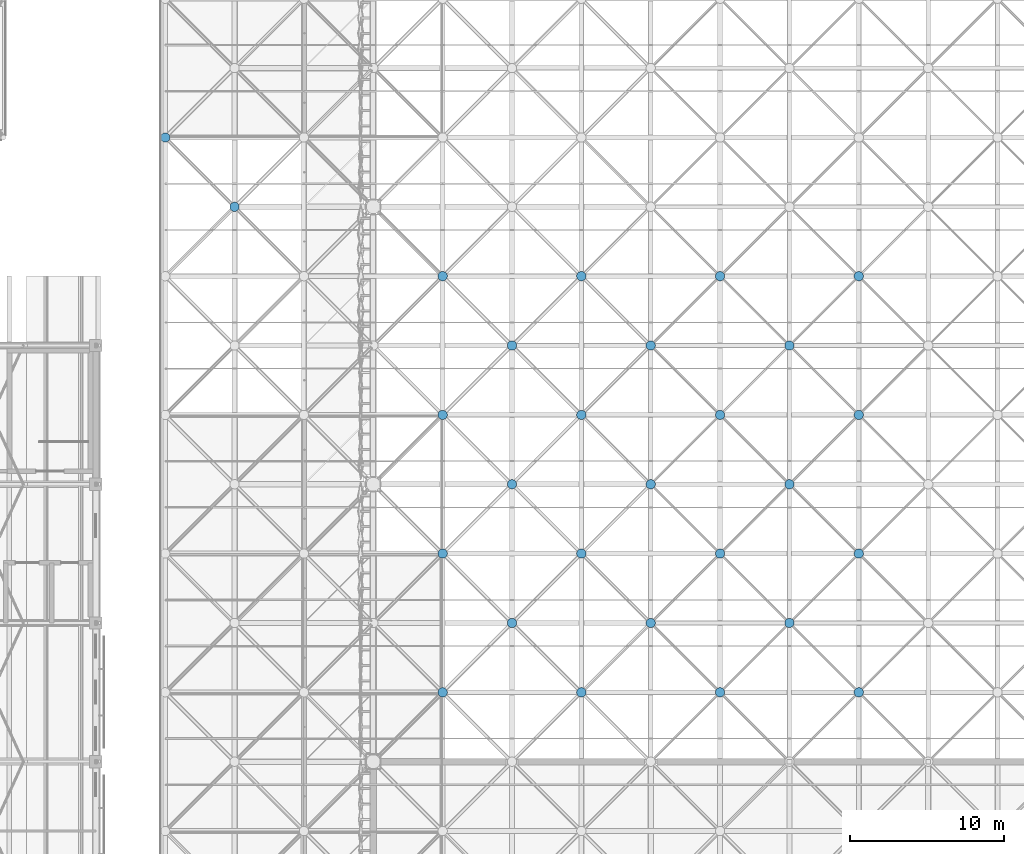
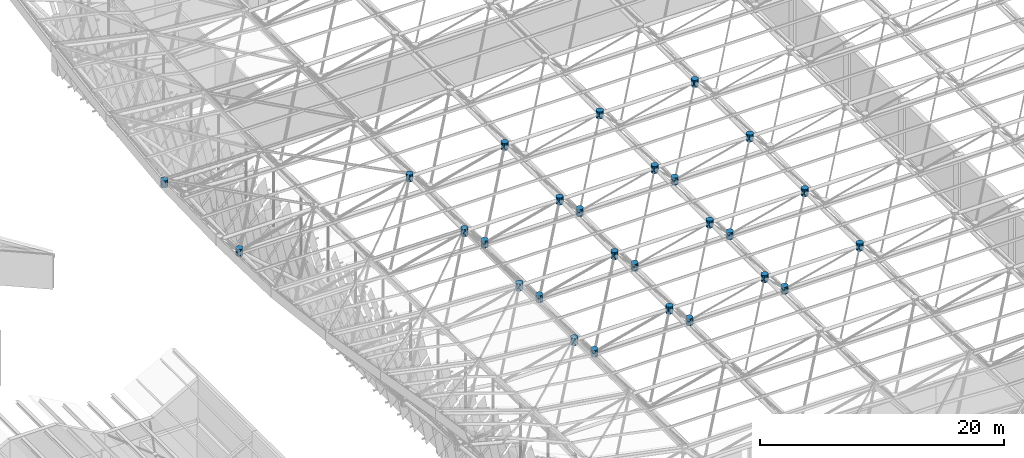
# One storey, part 293 of 437: 27 discrete accessories.
"""IFC4 building model written with IfcOpenShell, lengths in metres."""

from ifc_helpers import new_model, si_unit, direction, frame, origin, place, context, subcontext, project, spatial, polyline, outline, extrude, material, type_object, element, save


model = new_model("IFC4")

# Units and contexts
model_context = context("Model", 3, precision=1e-05, world=origin(), true_north=direction((0.0, 1.0)))
body_context = subcontext(model_context, "Body", "Model", "MODEL_VIEW")
ifc_project = project(units=[si_unit("LENGTHUNIT", "METRE"), si_unit("AREAUNIT", "SQUARE_METRE"), si_unit("VOLUMEUNIT", "CUBIC_METRE"), si_unit("PLANEANGLEUNIT", "RADIAN"), si_unit("MASSUNIT", "GRAM", prefix="KILO")], contexts=[model_context])

# Site, building, storey
site_placement = place(None, origin())
site = spatial("IfcSite", under=ifc_project, at=site_placement, CompositionType="ELEMENT")
building_placement = place(site_placement, origin())
building = spatial("IfcBuilding", under=site, at=building_placement, Name="Opaline Strait Convention Centre", CompositionType="ELEMENT")
storey_placement = place(building_placement, frame((0.0, 0.0, 11.5)))
storey = spatial("IfcBuildingStorey", under=building, at=storey_placement, Name="L02", CompositionType="ELEMENT", Elevation=11.5)

# Discrete accessories
ifc_material = material(Name="Cast steel ZG300-500H (300 MPa)", Category="steel")
discrete_accessory_type = type_object("IfcDiscreteAccessoryType", Name="Space frame node hub D600", PredefinedType="USERDEFINED", material=ifc_material)
discrete_accessory_1_placement = place(storey_placement, frame((0.0, 0.0, 17.8642578125)))
element("IfcDiscreteAccessory", 1, at=discrete_accessory_1_placement, inside=storey, type_object=discrete_accessory_type, Name="Top node 1/9", ObjectType="NODE HUB", PredefinedType="USERDEFINED", context=body_context, shape_type="SweptSolid", body=[
    extrude(outline(polyline([(85.800048828125, 112.559814453125), (85.75439453125, 112.669921875), (85.669921875, 112.75439453125), (85.559814453125, 112.800048828125), (85.440185546875, 112.800048828125), (85.330078125, 112.75439453125), (85.24560546875, 112.669921875), (85.199951171875, 112.559814453125), (85.199951171875, 112.440185546875), (85.24560546875, 112.330078125), (85.330078125, 112.24560546875), (85.440185546875, 112.199951171875), (85.559814453125, 112.199951171875), (85.669921875, 112.24560546875), (85.75439453125, 112.330078125), (85.800048828125, 112.440185546875), (85.800048828125, 112.559814453125)])), origin(), (0.0, 0.0, 1.0), 0.719970703125),
])
discrete_accessory_2_placement = place(storey_placement, frame((0.0, 0.0, 17.611572265625)))
element("IfcDiscreteAccessory", 2, at=discrete_accessory_2_placement, inside=storey, type_object=discrete_accessory_type, Name="Top node 3/5", ObjectType="NODE HUB", PredefinedType="USERDEFINED", context=body_context, shape_type="SweptSolid", body=[
    extrude(outline(polyline([(103.800048828125, 76.559814453125), (103.75439453125, 76.669921875), (103.669921875, 76.75439453125), (103.559814453125, 76.800048828125), (103.440185546875, 76.800048828125), (103.330078125, 76.75439453125), (103.24560546875, 76.669921875), (103.199951171875, 76.559814453125), (103.199951171875, 76.440185546875), (103.24560546875, 76.330078125), (103.330078125, 76.24560546875), (103.440185546875, 76.199951171875), (103.559814453125, 76.199951171875), (103.669921875, 76.24560546875), (103.75439453125, 76.330078125), (103.800048828125, 76.440185546875), (103.800048828125, 76.559814453125)])), origin(), (0.0, 0.0, 1.0), 0.719970703125),
])
discrete_accessory_3_placement = place(storey_placement, frame((0.0, 0.0, 17.611572265625)))
element("IfcDiscreteAccessory", 3, at=discrete_accessory_3_placement, inside=storey, type_object=discrete_accessory_type, Name="Top node 3/6", ObjectType="NODE HUB", PredefinedType="USERDEFINED", context=body_context, shape_type="SweptSolid", body=[
    extrude(outline(polyline([(103.800048828125, 85.559814453125), (103.75439453125, 85.669921875), (103.669921875, 85.75439453125), (103.559814453125, 85.800048828125), (103.440185546875, 85.800048828125), (103.330078125, 85.75439453125), (103.24560546875, 85.669921875), (103.199951171875, 85.559814453125), (103.199951171875, 85.440185546875), (103.24560546875, 85.330078125), (103.330078125, 85.24560546875), (103.440185546875, 85.199951171875), (103.559814453125, 85.199951171875), (103.669921875, 85.24560546875), (103.75439453125, 85.330078125), (103.800048828125, 85.440185546875), (103.800048828125, 85.559814453125)])), origin(), (0.0, 0.0, 1.0), 0.719970703125),
])
discrete_accessory_4_placement = place(storey_placement, frame((0.0, 0.0, 17.611572265625)))
element("IfcDiscreteAccessory", 4, at=discrete_accessory_4_placement, inside=storey, type_object=discrete_accessory_type, Name="Top node 3/7", ObjectType="NODE HUB", PredefinedType="USERDEFINED", context=body_context, shape_type="SweptSolid", body=[
    extrude(outline(polyline([(103.800048828125, 94.559814453125), (103.75439453125, 94.669921875), (103.669921875, 94.75439453125), (103.559814453125, 94.800048828125), (103.440185546875, 94.800048828125), (103.330078125, 94.75439453125), (103.24560546875, 94.669921875), (103.199951171875, 94.559814453125), (103.199951171875, 94.440185546875), (103.24560546875, 94.330078125), (103.330078125, 94.24560546875), (103.440185546875, 94.199951171875), (103.559814453125, 94.199951171875), (103.669921875, 94.24560546875), (103.75439453125, 94.330078125), (103.800048828125, 94.440185546875), (103.800048828125, 94.559814453125)])), origin(), (0.0, 0.0, 1.0), 0.719970703125),
])
discrete_accessory_5_placement = place(storey_placement, frame((0.0, 0.0, 17.611572265625)))
element("IfcDiscreteAccessory", 5, at=discrete_accessory_5_placement, inside=storey, type_object=discrete_accessory_type, Name="Top node 3/8", ObjectType="NODE HUB", PredefinedType="USERDEFINED", context=body_context, shape_type="SweptSolid", body=[
    extrude(outline(polyline([(103.800048828125, 103.559814453125), (103.75439453125, 103.669921875), (103.669921875, 103.75439453125), (103.559814453125, 103.800048828125), (103.440185546875, 103.800048828125), (103.330078125, 103.75439453125), (103.24560546875, 103.669921875), (103.199951171875, 103.559814453125), (103.199951171875, 103.440185546875), (103.24560546875, 103.330078125), (103.330078125, 103.24560546875), (103.440185546875, 103.199951171875), (103.559814453125, 103.199951171875), (103.669921875, 103.24560546875), (103.75439453125, 103.330078125), (103.800048828125, 103.440185546875), (103.800048828125, 103.559814453125)])), origin(), (0.0, 0.0, 1.0), 0.719970703125),
])
discrete_accessory_6_placement = place(storey_placement, frame((0.0, 0.0, 17.611572265625)))
element("IfcDiscreteAccessory", 6, at=discrete_accessory_6_placement, inside=storey, type_object=discrete_accessory_type, Name="Top node 4/5", ObjectType="NODE HUB", PredefinedType="USERDEFINED", context=body_context, shape_type="SweptSolid", body=[
    extrude(outline(polyline([(112.800048828125, 76.559814453125), (112.75439453125, 76.669921875), (112.669921875, 76.75439453125), (112.559814453125, 76.800048828125), (112.440185546875, 76.800048828125), (112.330078125, 76.75439453125), (112.24560546875, 76.669921875), (112.199951171875, 76.559814453125), (112.199951171875, 76.440185546875), (112.24560546875, 76.330078125), (112.330078125, 76.24560546875), (112.440185546875, 76.199951171875), (112.559814453125, 76.199951171875), (112.669921875, 76.24560546875), (112.75439453125, 76.330078125), (112.800048828125, 76.440185546875), (112.800048828125, 76.559814453125)])), origin(), (0.0, 0.0, 1.0), 0.719970703125),
])
discrete_accessory_7_placement = place(storey_placement, frame((0.0, 0.0, 17.611572265625)))
element("IfcDiscreteAccessory", 7, at=discrete_accessory_7_placement, inside=storey, type_object=discrete_accessory_type, Name="Top node 4/6", ObjectType="NODE HUB", PredefinedType="USERDEFINED", context=body_context, shape_type="SweptSolid", body=[
    extrude(outline(polyline([(112.800048828125, 85.559814453125), (112.75439453125, 85.669921875), (112.669921875, 85.75439453125), (112.559814453125, 85.800048828125), (112.440185546875, 85.800048828125), (112.330078125, 85.75439453125), (112.24560546875, 85.669921875), (112.199951171875, 85.559814453125), (112.199951171875, 85.440185546875), (112.24560546875, 85.330078125), (112.330078125, 85.24560546875), (112.440185546875, 85.199951171875), (112.559814453125, 85.199951171875), (112.669921875, 85.24560546875), (112.75439453125, 85.330078125), (112.800048828125, 85.440185546875), (112.800048828125, 85.559814453125)])), origin(), (0.0, 0.0, 1.0), 0.719970703125),
])
discrete_accessory_8_placement = place(storey_placement, frame((0.0, 0.0, 17.611572265625)))
element("IfcDiscreteAccessory", 8, at=discrete_accessory_8_placement, inside=storey, type_object=discrete_accessory_type, Name="Top node 4/7", ObjectType="NODE HUB", PredefinedType="USERDEFINED", context=body_context, shape_type="SweptSolid", body=[
    extrude(outline(polyline([(112.800048828125, 94.559814453125), (112.75439453125, 94.669921875), (112.669921875, 94.75439453125), (112.559814453125, 94.800048828125), (112.440185546875, 94.800048828125), (112.330078125, 94.75439453125), (112.24560546875, 94.669921875), (112.199951171875, 94.559814453125), (112.199951171875, 94.440185546875), (112.24560546875, 94.330078125), (112.330078125, 94.24560546875), (112.440185546875, 94.199951171875), (112.559814453125, 94.199951171875), (112.669921875, 94.24560546875), (112.75439453125, 94.330078125), (112.800048828125, 94.440185546875), (112.800048828125, 94.559814453125)])), origin(), (0.0, 0.0, 1.0), 0.719970703125),
])
discrete_accessory_9_placement = place(storey_placement, frame((0.0, 0.0, 17.611572265625)))
element("IfcDiscreteAccessory", 9, at=discrete_accessory_9_placement, inside=storey, type_object=discrete_accessory_type, Name="Top node 4/8", ObjectType="NODE HUB", PredefinedType="USERDEFINED", context=body_context, shape_type="SweptSolid", body=[
    extrude(outline(polyline([(112.800048828125, 103.559814453125), (112.75439453125, 103.669921875), (112.669921875, 103.75439453125), (112.559814453125, 103.800048828125), (112.440185546875, 103.800048828125), (112.330078125, 103.75439453125), (112.24560546875, 103.669921875), (112.199951171875, 103.559814453125), (112.199951171875, 103.440185546875), (112.24560546875, 103.330078125), (112.330078125, 103.24560546875), (112.440185546875, 103.199951171875), (112.559814453125, 103.199951171875), (112.669921875, 103.24560546875), (112.75439453125, 103.330078125), (112.800048828125, 103.440185546875), (112.800048828125, 103.559814453125)])), origin(), (0.0, 0.0, 1.0), 0.719970703125),
])
discrete_accessory_10_placement = place(storey_placement, frame((0.0, 0.0, 17.611572265625)))
element("IfcDiscreteAccessory", 10, at=discrete_accessory_10_placement, inside=storey, type_object=discrete_accessory_type, Name="Top node 5/5", ObjectType="NODE HUB", PredefinedType="USERDEFINED", context=body_context, shape_type="SweptSolid", body=[
    extrude(outline(polyline([(121.800048828125, 76.559814453125), (121.75439453125, 76.669921875), (121.669921875, 76.75439453125), (121.559814453125, 76.800048828125), (121.440185546875, 76.800048828125), (121.330078125, 76.75439453125), (121.24560546875, 76.669921875), (121.199951171875, 76.559814453125), (121.199951171875, 76.440185546875), (121.24560546875, 76.330078125), (121.330078125, 76.24560546875), (121.440185546875, 76.199951171875), (121.559814453125, 76.199951171875), (121.669921875, 76.24560546875), (121.75439453125, 76.330078125), (121.800048828125, 76.440185546875), (121.800048828125, 76.559814453125)])), origin(), (0.0, 0.0, 1.0), 0.719970703125),
])
discrete_accessory_11_placement = place(storey_placement, frame((0.0, 0.0, 17.611572265625)))
element("IfcDiscreteAccessory", 11, at=discrete_accessory_11_placement, inside=storey, type_object=discrete_accessory_type, Name="Top node 5/6", ObjectType="NODE HUB", PredefinedType="USERDEFINED", context=body_context, shape_type="SweptSolid", body=[
    extrude(outline(polyline([(121.800048828125, 85.559814453125), (121.75439453125, 85.669921875), (121.669921875, 85.75439453125), (121.559814453125, 85.800048828125), (121.440185546875, 85.800048828125), (121.330078125, 85.75439453125), (121.24560546875, 85.669921875), (121.199951171875, 85.559814453125), (121.199951171875, 85.440185546875), (121.24560546875, 85.330078125), (121.330078125, 85.24560546875), (121.440185546875, 85.199951171875), (121.559814453125, 85.199951171875), (121.669921875, 85.24560546875), (121.75439453125, 85.330078125), (121.800048828125, 85.440185546875), (121.800048828125, 85.559814453125)])), origin(), (0.0, 0.0, 1.0), 0.719970703125),
])
discrete_accessory_12_placement = place(storey_placement, frame((0.0, 0.0, 17.611572265625)))
element("IfcDiscreteAccessory", 12, at=discrete_accessory_12_placement, inside=storey, type_object=discrete_accessory_type, Name="Top node 5/7", ObjectType="NODE HUB", PredefinedType="USERDEFINED", context=body_context, shape_type="SweptSolid", body=[
    extrude(outline(polyline([(121.800048828125, 94.559814453125), (121.75439453125, 94.669921875), (121.669921875, 94.75439453125), (121.559814453125, 94.800048828125), (121.440185546875, 94.800048828125), (121.330078125, 94.75439453125), (121.24560546875, 94.669921875), (121.199951171875, 94.559814453125), (121.199951171875, 94.440185546875), (121.24560546875, 94.330078125), (121.330078125, 94.24560546875), (121.440185546875, 94.199951171875), (121.559814453125, 94.199951171875), (121.669921875, 94.24560546875), (121.75439453125, 94.330078125), (121.800048828125, 94.440185546875), (121.800048828125, 94.559814453125)])), origin(), (0.0, 0.0, 1.0), 0.719970703125),
])
discrete_accessory_13_placement = place(storey_placement, frame((0.0, 0.0, 17.611572265625)))
element("IfcDiscreteAccessory", 13, at=discrete_accessory_13_placement, inside=storey, type_object=discrete_accessory_type, Name="Top node 5/8", ObjectType="NODE HUB", PredefinedType="USERDEFINED", context=body_context, shape_type="SweptSolid", body=[
    extrude(outline(polyline([(121.800048828125, 103.559814453125), (121.75439453125, 103.669921875), (121.669921875, 103.75439453125), (121.559814453125, 103.800048828125), (121.440185546875, 103.800048828125), (121.330078125, 103.75439453125), (121.24560546875, 103.669921875), (121.199951171875, 103.559814453125), (121.199951171875, 103.440185546875), (121.24560546875, 103.330078125), (121.330078125, 103.24560546875), (121.440185546875, 103.199951171875), (121.559814453125, 103.199951171875), (121.669921875, 103.24560546875), (121.75439453125, 103.330078125), (121.800048828125, 103.440185546875), (121.800048828125, 103.559814453125)])), origin(), (0.0, 0.0, 1.0), 0.719970703125),
])
discrete_accessory_14_placement = place(storey_placement, frame((0.0, 0.0, 17.611572265625)))
element("IfcDiscreteAccessory", 14, at=discrete_accessory_14_placement, inside=storey, type_object=discrete_accessory_type, Name="Top node 6/5", ObjectType="NODE HUB", PredefinedType="USERDEFINED", context=body_context, shape_type="SweptSolid", body=[
    extrude(outline(polyline([(130.800048828125, 76.559814453125), (130.75439453125, 76.669921875), (130.669921875, 76.75439453125), (130.559814453125, 76.800048828125), (130.440185546875, 76.800048828125), (130.330078125, 76.75439453125), (130.24560546875, 76.669921875), (130.199951171875, 76.559814453125), (130.199951171875, 76.440185546875), (130.24560546875, 76.330078125), (130.330078125, 76.24560546875), (130.440185546875, 76.199951171875), (130.559814453125, 76.199951171875), (130.669921875, 76.24560546875), (130.75439453125, 76.330078125), (130.800048828125, 76.440185546875), (130.800048828125, 76.559814453125)])), origin(), (0.0, 0.0, 1.0), 0.719970703125),
])
discrete_accessory_15_placement = place(storey_placement, frame((0.0, 0.0, 17.611572265625)))
element("IfcDiscreteAccessory", 15, at=discrete_accessory_15_placement, inside=storey, type_object=discrete_accessory_type, Name="Top node 6/6", ObjectType="NODE HUB", PredefinedType="USERDEFINED", context=body_context, shape_type="SweptSolid", body=[
    extrude(outline(polyline([(130.800048828125, 85.559814453125), (130.75439453125, 85.669921875), (130.669921875, 85.75439453125), (130.559814453125, 85.800048828125), (130.440185546875, 85.800048828125), (130.330078125, 85.75439453125), (130.24560546875, 85.669921875), (130.199951171875, 85.559814453125), (130.199951171875, 85.440185546875), (130.24560546875, 85.330078125), (130.330078125, 85.24560546875), (130.440185546875, 85.199951171875), (130.559814453125, 85.199951171875), (130.669921875, 85.24560546875), (130.75439453125, 85.330078125), (130.800048828125, 85.440185546875), (130.800048828125, 85.559814453125)])), origin(), (0.0, 0.0, 1.0), 0.719970703125),
])
discrete_accessory_16_placement = place(storey_placement, frame((0.0, 0.0, 17.611572265625)))
element("IfcDiscreteAccessory", 16, at=discrete_accessory_16_placement, inside=storey, type_object=discrete_accessory_type, Name="Top node 6/7", ObjectType="NODE HUB", PredefinedType="USERDEFINED", context=body_context, shape_type="SweptSolid", body=[
    extrude(outline(polyline([(130.800048828125, 94.559814453125), (130.75439453125, 94.669921875), (130.669921875, 94.75439453125), (130.559814453125, 94.800048828125), (130.440185546875, 94.800048828125), (130.330078125, 94.75439453125), (130.24560546875, 94.669921875), (130.199951171875, 94.559814453125), (130.199951171875, 94.440185546875), (130.24560546875, 94.330078125), (130.330078125, 94.24560546875), (130.440185546875, 94.199951171875), (130.559814453125, 94.199951171875), (130.669921875, 94.24560546875), (130.75439453125, 94.330078125), (130.800048828125, 94.440185546875), (130.800048828125, 94.559814453125)])), origin(), (0.0, 0.0, 1.0), 0.719970703125),
])
discrete_accessory_17_placement = place(storey_placement, frame((0.0, 0.0, 17.611572265625)))
element("IfcDiscreteAccessory", 17, at=discrete_accessory_17_placement, inside=storey, type_object=discrete_accessory_type, Name="Top node 6/8", ObjectType="NODE HUB", PredefinedType="USERDEFINED", context=body_context, shape_type="SweptSolid", body=[
    extrude(outline(polyline([(130.800048828125, 103.559814453125), (130.75439453125, 103.669921875), (130.669921875, 103.75439453125), (130.559814453125, 103.800048828125), (130.440185546875, 103.800048828125), (130.330078125, 103.75439453125), (130.24560546875, 103.669921875), (130.199951171875, 103.559814453125), (130.199951171875, 103.440185546875), (130.24560546875, 103.330078125), (130.330078125, 103.24560546875), (130.440185546875, 103.199951171875), (130.559814453125, 103.199951171875), (130.669921875, 103.24560546875), (130.75439453125, 103.330078125), (130.800048828125, 103.440185546875), (130.800048828125, 103.559814453125)])), origin(), (0.0, 0.0, 1.0), 0.719970703125),
])
discrete_accessory_18_placement = place(storey_placement, frame((0.0, 0.0, 12.14892578125)))
element("IfcDiscreteAccessory", 18, at=discrete_accessory_18_placement, inside=storey, type_object=discrete_accessory_type, Name="Bottom node 1/8", ObjectType="NODE HUB", PredefinedType="USERDEFINED", context=body_context, shape_type="SweptSolid", body=[
    extrude(outline(polyline([(90.300048828125, 108.059814453125), (90.25439453125, 108.169921875), (90.169921875, 108.25439453125), (90.059814453125, 108.300048828125), (89.940185546875, 108.300048828125), (89.830078125, 108.25439453125), (89.74560546875, 108.169921875), (89.699951171875, 108.059814453125), (89.699951171875, 107.940185546875), (89.74560546875, 107.830078125), (89.830078125, 107.74560546875), (89.940185546875, 107.699951171875), (90.059814453125, 107.699951171875), (90.169921875, 107.74560546875), (90.25439453125, 107.830078125), (90.300048828125, 107.940185546875), (90.300048828125, 108.059814453125)])), origin(), (0.0, 0.0, 1.0), 0.719970703125),
])
discrete_accessory_19_placement = place(storey_placement, frame((0.0, 0.0, 12.139892578125)))
element("IfcDiscreteAccessory", 19, at=discrete_accessory_19_placement, inside=storey, type_object=discrete_accessory_type, Name="Bottom node 3/5", ObjectType="NODE HUB", PredefinedType="USERDEFINED", context=body_context, shape_type="SweptSolid", body=[
    extrude(outline(polyline([(108.300048828125, 81.059814453125), (108.25439453125, 81.169921875), (108.169921875, 81.25439453125), (108.059814453125, 81.300048828125), (107.940185546875, 81.300048828125), (107.830078125, 81.25439453125), (107.74560546875, 81.169921875), (107.699951171875, 81.059814453125), (107.699951171875, 80.940185546875), (107.74560546875, 80.830078125), (107.830078125, 80.74560546875), (107.940185546875, 80.699951171875), (108.059814453125, 80.699951171875), (108.169921875, 80.74560546875), (108.25439453125, 80.830078125), (108.300048828125, 80.940185546875), (108.300048828125, 81.059814453125)])), origin(), (0.0, 0.0, 1.0), 0.72021484375),
])
discrete_accessory_20_placement = place(storey_placement, frame((0.0, 0.0, 12.139892578125)))
element("IfcDiscreteAccessory", 20, at=discrete_accessory_20_placement, inside=storey, type_object=discrete_accessory_type, Name="Bottom node 3/6", ObjectType="NODE HUB", PredefinedType="USERDEFINED", context=body_context, shape_type="SweptSolid", body=[
    extrude(outline(polyline([(108.300048828125, 90.059814453125), (108.25439453125, 90.169921875), (108.169921875, 90.25439453125), (108.059814453125, 90.300048828125), (107.940185546875, 90.300048828125), (107.830078125, 90.25439453125), (107.74560546875, 90.169921875), (107.699951171875, 90.059814453125), (107.699951171875, 89.940185546875), (107.74560546875, 89.830078125), (107.830078125, 89.74560546875), (107.940185546875, 89.699951171875), (108.059814453125, 89.699951171875), (108.169921875, 89.74560546875), (108.25439453125, 89.830078125), (108.300048828125, 89.940185546875), (108.300048828125, 90.059814453125)])), origin(), (0.0, 0.0, 1.0), 0.72021484375),
])
discrete_accessory_21_placement = place(storey_placement, frame((0.0, 0.0, 12.139892578125)))
element("IfcDiscreteAccessory", 21, at=discrete_accessory_21_placement, inside=storey, type_object=discrete_accessory_type, Name="Bottom node 3/7", ObjectType="NODE HUB", PredefinedType="USERDEFINED", context=body_context, shape_type="SweptSolid", body=[
    extrude(outline(polyline([(108.300048828125, 99.059814453125), (108.25439453125, 99.169921875), (108.169921875, 99.25439453125), (108.059814453125, 99.300048828125), (107.940185546875, 99.300048828125), (107.830078125, 99.25439453125), (107.74560546875, 99.169921875), (107.699951171875, 99.059814453125), (107.699951171875, 98.940185546875), (107.74560546875, 98.830078125), (107.830078125, 98.74560546875), (107.940185546875, 98.699951171875), (108.059814453125, 98.699951171875), (108.169921875, 98.74560546875), (108.25439453125, 98.830078125), (108.300048828125, 98.940185546875), (108.300048828125, 99.059814453125)])), origin(), (0.0, 0.0, 1.0), 0.72021484375),
])
discrete_accessory_22_placement = place(storey_placement, frame((0.0, 0.0, 12.139892578125)))
element("IfcDiscreteAccessory", 22, at=discrete_accessory_22_placement, inside=storey, type_object=discrete_accessory_type, Name="Bottom node 4/5", ObjectType="NODE HUB", PredefinedType="USERDEFINED", context=body_context, shape_type="SweptSolid", body=[
    extrude(outline(polyline([(117.300048828125, 81.059814453125), (117.25439453125, 81.169921875), (117.169921875, 81.25439453125), (117.059814453125, 81.300048828125), (116.940185546875, 81.300048828125), (116.830078125, 81.25439453125), (116.74560546875, 81.169921875), (116.699951171875, 81.059814453125), (116.699951171875, 80.940185546875), (116.74560546875, 80.830078125), (116.830078125, 80.74560546875), (116.940185546875, 80.699951171875), (117.059814453125, 80.699951171875), (117.169921875, 80.74560546875), (117.25439453125, 80.830078125), (117.300048828125, 80.940185546875), (117.300048828125, 81.059814453125)])), origin(), (0.0, 0.0, 1.0), 0.72021484375),
])
discrete_accessory_23_placement = place(storey_placement, frame((0.0, 0.0, 12.139892578125)))
element("IfcDiscreteAccessory", 23, at=discrete_accessory_23_placement, inside=storey, type_object=discrete_accessory_type, Name="Bottom node 4/6", ObjectType="NODE HUB", PredefinedType="USERDEFINED", context=body_context, shape_type="SweptSolid", body=[
    extrude(outline(polyline([(117.300048828125, 90.059814453125), (117.25439453125, 90.169921875), (117.169921875, 90.25439453125), (117.059814453125, 90.300048828125), (116.940185546875, 90.300048828125), (116.830078125, 90.25439453125), (116.74560546875, 90.169921875), (116.699951171875, 90.059814453125), (116.699951171875, 89.940185546875), (116.74560546875, 89.830078125), (116.830078125, 89.74560546875), (116.940185546875, 89.699951171875), (117.059814453125, 89.699951171875), (117.169921875, 89.74560546875), (117.25439453125, 89.830078125), (117.300048828125, 89.940185546875), (117.300048828125, 90.059814453125)])), origin(), (0.0, 0.0, 1.0), 0.72021484375),
])
discrete_accessory_24_placement = place(storey_placement, frame((0.0, 0.0, 12.139892578125)))
element("IfcDiscreteAccessory", 24, at=discrete_accessory_24_placement, inside=storey, type_object=discrete_accessory_type, Name="Bottom node 4/7", ObjectType="NODE HUB", PredefinedType="USERDEFINED", context=body_context, shape_type="SweptSolid", body=[
    extrude(outline(polyline([(117.300048828125, 99.059814453125), (117.25439453125, 99.169921875), (117.169921875, 99.25439453125), (117.059814453125, 99.300048828125), (116.940185546875, 99.300048828125), (116.830078125, 99.25439453125), (116.74560546875, 99.169921875), (116.699951171875, 99.059814453125), (116.699951171875, 98.940185546875), (116.74560546875, 98.830078125), (116.830078125, 98.74560546875), (116.940185546875, 98.699951171875), (117.059814453125, 98.699951171875), (117.169921875, 98.74560546875), (117.25439453125, 98.830078125), (117.300048828125, 98.940185546875), (117.300048828125, 99.059814453125)])), origin(), (0.0, 0.0, 1.0), 0.72021484375),
])
discrete_accessory_25_placement = place(storey_placement, frame((0.0, 0.0, 12.139892578125)))
element("IfcDiscreteAccessory", 25, at=discrete_accessory_25_placement, inside=storey, type_object=discrete_accessory_type, Name="Bottom node 5/5", ObjectType="NODE HUB", PredefinedType="USERDEFINED", context=body_context, shape_type="SweptSolid", body=[
    extrude(outline(polyline([(126.300048828125, 81.059814453125), (126.25439453125, 81.169921875), (126.169921875, 81.25439453125), (126.059814453125, 81.300048828125), (125.940185546875, 81.300048828125), (125.830078125, 81.25439453125), (125.74560546875, 81.169921875), (125.699951171875, 81.059814453125), (125.699951171875, 80.940185546875), (125.74560546875, 80.830078125), (125.830078125, 80.74560546875), (125.940185546875, 80.699951171875), (126.059814453125, 80.699951171875), (126.169921875, 80.74560546875), (126.25439453125, 80.830078125), (126.300048828125, 80.940185546875), (126.300048828125, 81.059814453125)])), origin(), (0.0, 0.0, 1.0), 0.72021484375),
])
discrete_accessory_26_placement = place(storey_placement, frame((0.0, 0.0, 12.139892578125)))
element("IfcDiscreteAccessory", 26, at=discrete_accessory_26_placement, inside=storey, type_object=discrete_accessory_type, Name="Bottom node 5/6", ObjectType="NODE HUB", PredefinedType="USERDEFINED", context=body_context, shape_type="SweptSolid", body=[
    extrude(outline(polyline([(126.300048828125, 90.059814453125), (126.25439453125, 90.169921875), (126.169921875, 90.25439453125), (126.059814453125, 90.300048828125), (125.940185546875, 90.300048828125), (125.830078125, 90.25439453125), (125.74560546875, 90.169921875), (125.699951171875, 90.059814453125), (125.699951171875, 89.940185546875), (125.74560546875, 89.830078125), (125.830078125, 89.74560546875), (125.940185546875, 89.699951171875), (126.059814453125, 89.699951171875), (126.169921875, 89.74560546875), (126.25439453125, 89.830078125), (126.300048828125, 89.940185546875), (126.300048828125, 90.059814453125)])), origin(), (0.0, 0.0, 1.0), 0.72021484375),
])
discrete_accessory_27_placement = place(storey_placement, frame((0.0, 0.0, 12.139892578125)))
element("IfcDiscreteAccessory", 27, at=discrete_accessory_27_placement, inside=storey, type_object=discrete_accessory_type, Name="Bottom node 5/7", ObjectType="NODE HUB", PredefinedType="USERDEFINED", context=body_context, shape_type="SweptSolid", body=[
    extrude(outline(polyline([(126.300048828125, 99.059814453125), (126.25439453125, 99.169921875), (126.169921875, 99.25439453125), (126.059814453125, 99.300048828125), (125.940185546875, 99.300048828125), (125.830078125, 99.25439453125), (125.74560546875, 99.169921875), (125.699951171875, 99.059814453125), (125.699951171875, 98.940185546875), (125.74560546875, 98.830078125), (125.830078125, 98.74560546875), (125.940185546875, 98.699951171875), (126.059814453125, 98.699951171875), (126.169921875, 98.74560546875), (126.25439453125, 98.830078125), (126.300048828125, 98.940185546875), (126.300048828125, 99.059814453125)])), origin(), (0.0, 0.0, 1.0), 0.72021484375),
])

save(model, "model.ifc")
